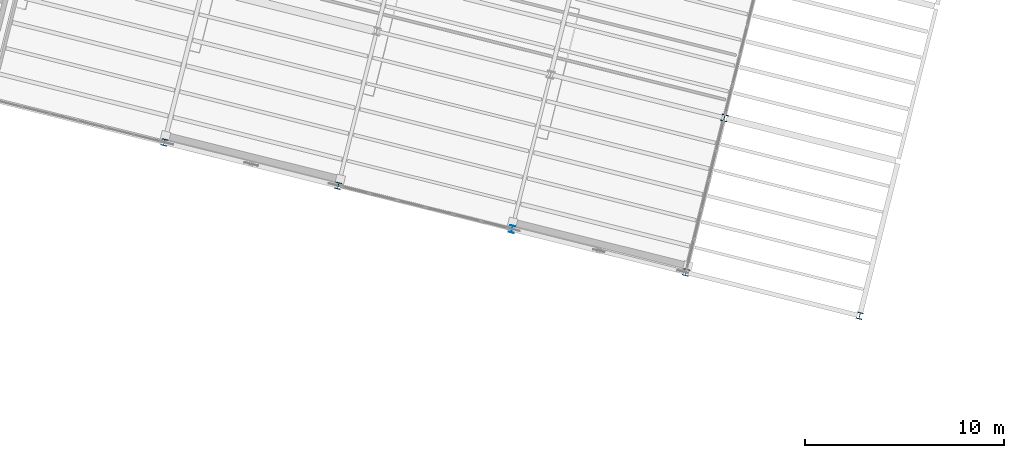
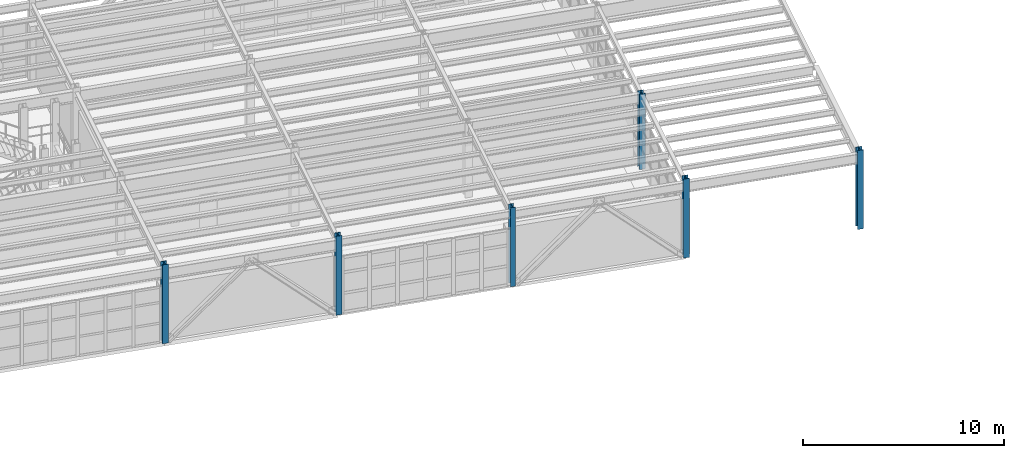
# One storey, part 6 of 102: 6 columns.
"""IFC4 building model written with IfcOpenShell, lengths in metres."""

from ifc_helpers import new_model, si_unit, direction, frame, origin, origin_2d, place, context, subcontext, project, spatial, i_section, extrude, material, material_profile, profile_set, type_object, element, save


model = new_model("IFC4")

# Units and contexts
model_context = context("Model", 3, precision=1e-05, world=origin(), true_north=direction((0.0, 1.0)))
body_context = subcontext(model_context, "Body", "Model", "MODEL_VIEW")
ifc_project = project(units=[si_unit("LENGTHUNIT", "METRE"), si_unit("AREAUNIT", "SQUARE_METRE"), si_unit("VOLUMEUNIT", "CUBIC_METRE"), si_unit("PLANEANGLEUNIT", "RADIAN"), si_unit("MASSUNIT", "GRAM", prefix="KILO")], contexts=[model_context])

# Site, building, storey
site_placement = place(None, origin())
site = spatial("IfcSite", under=ifc_project, at=site_placement, CompositionType="ELEMENT")
building_placement = place(site_placement, origin())
building = spatial("IfcBuilding", under=site, at=building_placement, Name="Vireo Bluff Cable Station", CompositionType="ELEMENT")
storey_placement = place(building_placement, frame((0.0, 0.0, 9.60009765625)))
storey = spatial("IfcBuildingStorey", under=building, at=storey_placement, Name="L02", CompositionType="ELEMENT", Elevation=9.60009765625)

# Columns
ifc_material = material(Name="Steel ASTM A992 Gr. 50", Category="steel")
ifc_material_profile_1 = material_profile(ifc_material, i_section(OverallWidth=0.31298828125, OverallDepth=0.3330078125, WebThickness=0.01806640625, FlangeThickness=0.028076171875, FilletRadius=0.012939453125, at=origin_2d()), Name="W12X120")
ifc_profile_set_1 = profile_set([ifc_material_profile_1], Name="Steel ASTM A992 Gr. 50")
column_type_1 = type_object("IfcColumnType", Name="ECOL-W12X120", PredefinedType="COLUMN", material=ifc_profile_set_1)
column_1_placement = place(storey_placement, frame((99.5986328125, 34.8759765625, 0.0), z_axis=(0.0, 0.0, 1.0), x_axis=(0.970295726276, -0.2419218956, 0.0)))
element("IfcColumn", 1, at=column_1_placement, inside=storey, type_object=column_type_1, Name="V1 L02 column 104", PredefinedType="COLUMN", context=body_context, shape_type="SweptSolid", body=[
    extrude(i_section(OverallWidth=0.31298828125, OverallDepth=0.3330078125, WebThickness=0.01806640625, FlangeThickness=0.028076171875, FilletRadius=0.012939453125, at=origin_2d()), origin(), (0.0, 0.0, 1.0), 4.579833984375),
])
ifc_material_profile_2 = material_profile(ifc_material, i_section(OverallWidth=0.30908203125, OverallDepth=0.322998046875, WebThickness=0.013916015625, FlangeThickness=0.02294921875, FilletRadius=0.012939453125, at=origin_2d()), Name="W12X96")
ifc_profile_set_2 = profile_set([ifc_material_profile_2], Name="Steel ASTM A992 Gr. 50")
column_type_2 = type_object("IfcColumnType", Name="ECOL-W12X96", PredefinedType="COLUMN", material=ifc_profile_set_2)
for number, where, z_axis, x_axis, name in (
    (2, (71.46533203125, 33.6455078125, 0.0), (0.0, 0.0, 1.0), (0.970295726276, -0.2419218956, 0.0), "V1 L02 column 43"),
    (3, (80.197998046875, 31.468017578125, 0.0), (0.0, 0.0, 1.0), (0.970295726276, -0.2419218956, 0.0), "V1 L02 column 63"),
    (4, (97.663330078125, 27.113525390625, 0.0), (0.0, 0.0, 1.0), (0.970295726276, -0.2419218956, 0.0), "V1 L02 column 99"),
    (5, (106.39599609375, 24.936279296875, 0.0), (0.0, 0.0, 1.0), (0.970295726276, -0.2419218956, 0.0), "V1 L02 column 115"),
):
    element("IfcColumn", number, at=place(storey_placement, frame(where, z_axis=z_axis, x_axis=x_axis)), inside=storey, type_object=column_type_2, Name=name, PredefinedType="COLUMN", context=body_context, shape_type="SweptSolid", body=[
        extrude(i_section(OverallWidth=0.30908203125, OverallDepth=0.322998046875, WebThickness=0.013916015625, FlangeThickness=0.02294921875, FilletRadius=0.012939453125, at=origin_2d()), origin(), (0.0, 0.0, 1.0), 4.7998046875),
    ])
ifc_material_profile_3 = material_profile(ifc_material, i_section(OverallWidth=0.25390625, OverallDepth=0.35302734375, WebThickness=0.009521484375, FlangeThickness=0.016357421875, FilletRadius=0.011962890625, at=origin_2d()), Name="W14X61")
ifc_profile_set_3 = profile_set([ifc_material_profile_3], Name="Steel ASTM A992 Gr. 50")
column_type_3 = type_object("IfcColumnType", Name="PIL-W14X61", PredefinedType="PILASTER", material=ifc_profile_set_3)
column_2_placement = place(storey_placement, frame((88.9306640625, 29.290771484375, 0.0), z_axis=(0.0, 0.0, 1.0), x_axis=(0.970295726276, -0.2419218956, 0.0)))
element("IfcColumn", 6, at=column_2_placement, inside=storey, type_object=column_type_3, Name="V1 L02 column 83", PredefinedType="PILASTER", context=body_context, shape_type="SweptSolid", body=[
    extrude(i_section(OverallWidth=0.25390625, OverallDepth=0.35302734375, WebThickness=0.009521484375, FlangeThickness=0.016357421875, FilletRadius=0.011962890625, at=origin_2d()), origin(), (0.0, 0.0, 1.0), 4.7998046875),
])

save(model, "model.ifc")
